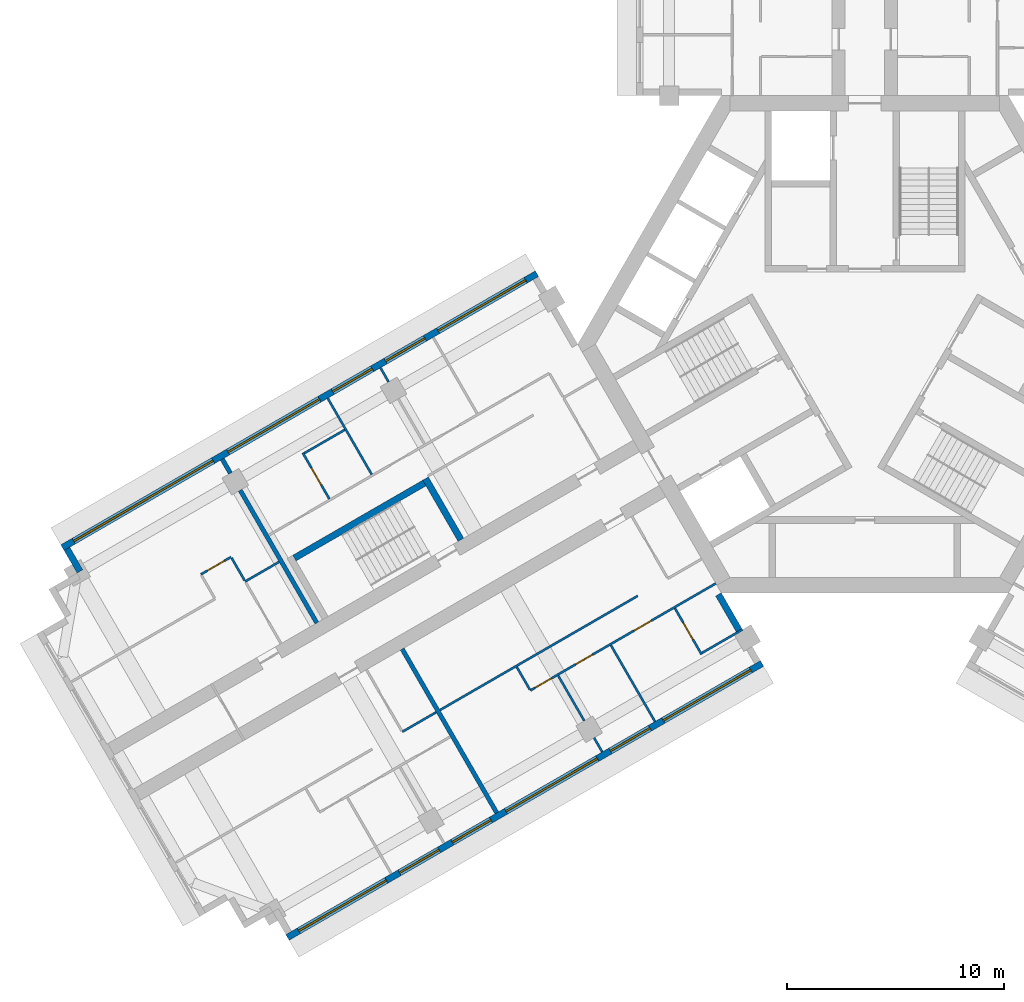
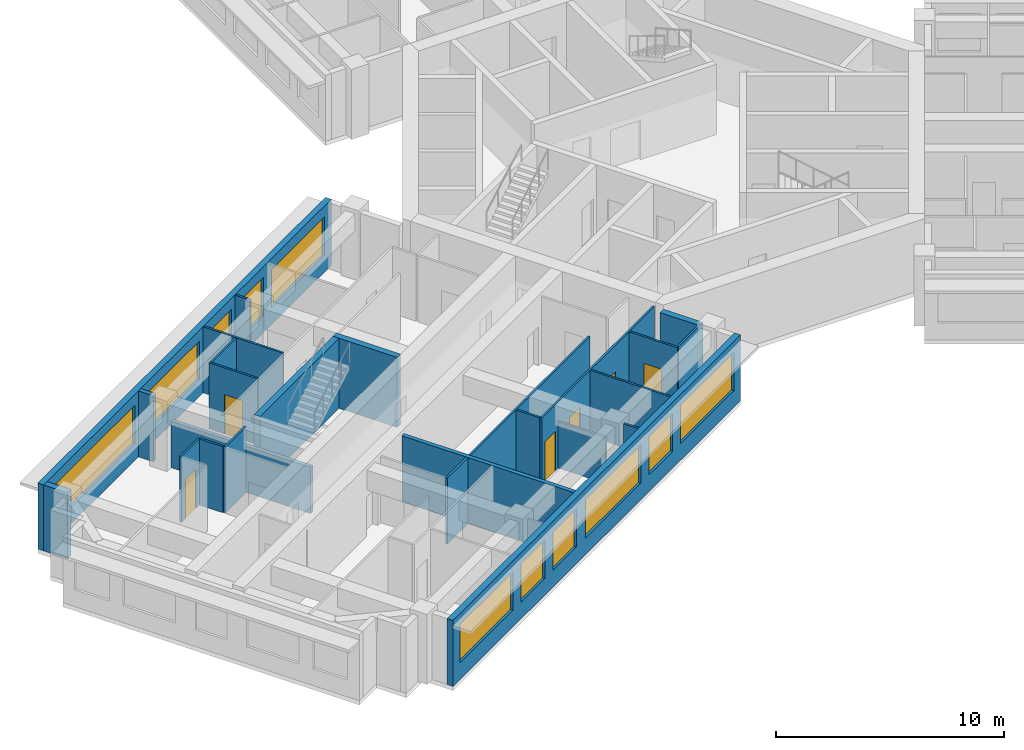
# One storey, part 3 of 11: 25 walls, 11 windows, 6 doors, 17 openings.
"""IFC4 building model written with IfcOpenShell, lengths in metres."""

import ifcopenshell
import ifcopenshell.guid

model = None  # the IFC model being written
_history = None  # IfcOwnerHistory: only IFC2X3 demands one
_inside = {}  # id of a spatial element -> (the spatial element, [elements in it])
_under = {}  # id of a project, library or spatial element -> (it, [spatial elements below it])
_declared = {}  # id of a project -> (the project, [libraries it declares])
_typed = {}  # id of a type object -> (the type object, [elements of that type])
_made_of = {}  # id of a material, layer set ... -> (it, [elements and type objects made of it])


def new_model(schema):
    """Start an empty IFC model of exactly this schema.

    Asked for "IFC4X3", IfcOpenShell would pick the latest addendum, in which some entities
    have other attributes; the version numbers below select the first issue.
    IFC2X3 requires an IfcOwnerHistory on every rooted entity: one is made here for all.
    """
    global model, _history
    if schema == "IFC4X3":
        model = ifcopenshell.file(schema_version=(4, 3, 0, 0))
    else:
        model = ifcopenshell.file(schema=schema)
    _inside.clear()
    _under.clear()
    _declared.clear()
    _typed.clear()
    _made_of.clear()
    _history = None
    if model.schema == "IFC2X3":
        org = make("IfcOrganization", Name="unknown")
        user = make(
            "IfcPersonAndOrganization",
            ThePerson=make("IfcPerson", FamilyName="unknown"),
            TheOrganization=org,
        )
        app = make(
            "IfcApplication",
            ApplicationDeveloper=org,
            Version="unknown",
            ApplicationFullName="unknown",
            ApplicationIdentifier="unknown",
        )
        _history = make(
            "IfcOwnerHistory",
            OwningUser=user,
            OwningApplication=app,
            ChangeAction="ADDED",
            CreationDate=0,
        )
    return model


def make(cls, **values):
    """One entity of the class cls with the attributes given. An attribute that is None is left unset."""
    return model.create_entity(
        cls, **{name: value for name, value in values.items() if value is not None}
    )


def rooted(cls, **values):
    """An entity with a GlobalId (a new one), such as an element, a storey or a relation."""
    return make(cls, GlobalId=ifcopenshell.guid.new(), OwnerHistory=_history, **values)


def si_unit(unit_type, name, prefix=None):
    """IfcSIUnit, for example si_unit("LENGTHUNIT", "METRE", prefix="MILLI")."""
    return make("IfcSIUnit", UnitType=unit_type, Prefix=prefix, Name=name)


def assignment(units):
    """IfcUnitAssignment: the units of a project."""
    return None if units is None else make("IfcUnitAssignment", Units=units)


def point(xyz):
    """IfcCartesianPoint."""
    return None if xyz is None else make("IfcCartesianPoint", Coordinates=xyz)


def direction(xyz):
    """IfcDirection."""
    return None if xyz is None else make("IfcDirection", DirectionRatios=xyz)


def frame(location, z_axis=None, x_axis=None):
    """IfcAxis2Placement3D, a coordinate frame: its origin and axes. An axis left out is left unset."""
    return make(
        "IfcAxis2Placement3D",
        Location=point(location),
        Axis=direction(z_axis),
        RefDirection=direction(x_axis),
    )


def frame_2d(location, x_axis=None):
    """IfcAxis2Placement2D, a coordinate frame in the plane: its origin and x axis."""
    return make(
        "IfcAxis2Placement2D", Location=point(location), RefDirection=direction(x_axis)
    )


def origin():
    """The frame at (0, 0, 0) with its axes left unset."""
    return frame((0.0, 0.0, 0.0))


def place(relative_to, where):
    """IfcLocalPlacement: puts the frame where relative to a parent placement (None: the world)."""
    return make(
        "IfcLocalPlacement", PlacementRelTo=relative_to, RelativePlacement=where
    )


def context(
    kind, dimensions, precision=None, world=None, true_north=None, identifier=None
):
    """IfcGeometricRepresentationContext, for example the 3D "Model" context."""
    return make(
        "IfcGeometricRepresentationContext",
        ContextIdentifier=identifier,
        ContextType=kind,
        CoordinateSpaceDimension=dimensions,
        Precision=precision,
        WorldCoordinateSystem=world,
        TrueNorth=true_north,
    )


def subcontext(parent, identifier, kind, view, scale=None):
    """IfcGeometricRepresentationSubContext, for example "Body" below "Model"."""
    return make(
        "IfcGeometricRepresentationSubContext",
        ContextIdentifier=identifier,
        ContextType=kind,
        ParentContext=parent,
        TargetScale=scale,
        TargetView=view,
    )


def project(units=None, contexts=None):
    """IfcProject with its units and contexts."""
    return rooted(
        "IfcProject",
        Name="project",
        RepresentationContexts=contexts,
        UnitsInContext=assignment(units),
    )


def spatial(cls, under=None, at=None, **own):
    """A site, building, storey or space (cls), placed at a placement, below another one or the project."""
    s = rooted(cls, ObjectPlacement=at, **own)
    if under is not None:
        _under.setdefault(under.id(), (under, []))[1].append(s)
    return s


def profile(cls, at=None, kind="AREA", **sizes):
    """A parametric profile (cls). Its sizes go by their IFC names, for example OverallWidth=200.0."""
    return make(cls, ProfileType=kind, Position=at, **sizes)


def rectangle(**sizes):
    """IfcRectangleProfileDef."""
    return profile("IfcRectangleProfileDef", **sizes)


def extrude(swept, where, along, depth):
    """IfcExtrudedAreaSolid: the profile swept, set in the frame where, extruded along a direction by depth."""
    return make(
        "IfcExtrudedAreaSolid",
        SweptArea=swept,
        Position=where,
        ExtrudedDirection=direction(along),
        Depth=depth,
    )


def shape(context_of_items, identifier, shape_type, items):
    """IfcShapeRepresentation: the items that make up one representation, for example the "Body"."""
    return make(
        "IfcShapeRepresentation",
        ContextOfItems=context_of_items,
        RepresentationIdentifier=identifier,
        RepresentationType=shape_type,
        Items=items,
    )


def material(Name=None, Category=None):
    """IfcMaterial."""
    return make("IfcMaterial", Name=Name, Category=Category)


def layer(
    of_material, thickness, ventilated=None, Name=None, Category=None, Priority=None
):
    """IfcMaterialLayer: one layer of a wall or slab, of a material (None: an air gap)."""
    return make(
        "IfcMaterialLayer",
        Material=of_material,
        LayerThickness=thickness,
        IsVentilated=ventilated,
        Name=Name,
        Category=Category,
        Priority=Priority,
    )


def layer_set(layers, Name=None):
    """IfcMaterialLayerSet."""
    return make("IfcMaterialLayerSet", MaterialLayers=layers, LayerSetName=Name)


def made_of(thing, what):
    """Note that an element or type object is made of a material, layer set ...; save() writes the relation."""
    if what is not None:
        _made_of.setdefault(what.id(), (what, []))[1].append(thing)
    return thing


def type_object(cls, material=None, **own):
    """A type object (cls), such as IfcWallType, which elements share."""
    return made_of(rooted(cls, **own), material)


def element(
    cls,
    number,
    at=None,
    inside=None,
    cuts=None,
    type_object=None,
    material=None,
    context=None,
    identifier="Body",
    shape_type=None,
    held_by="IfcProductDefinitionShape",
    body=None,
    shapes=None,
    **own,
):
    """One element of the class cls, such as IfcWall. Its Tag is "e" and its number.

    at: its placement. inside: the storey or other place that contains it. cuts: it is an
    opening in that element (IfcRelVoidsElement). A single representation is given by context,
    identifier, shape_type and body (its items); several are given by shapes. held_by: the class
    of the entity that holds the representations. save() writes the other relations.
    """
    e = rooted(cls, Tag="e%d" % number, ObjectPlacement=at, **own)
    if body is not None:
        shapes = [shape(context, identifier, shape_type, body)]
    if shapes is not None:
        e.Representation = make(held_by, Representations=shapes)
    if inside is not None:
        _inside.setdefault(inside.id(), (inside, []))[1].append(e)
    if cuts is not None:
        rooted(
            "IfcRelVoidsElement", RelatingBuildingElement=cuts, RelatedOpeningElement=e
        )
    if type_object is not None:
        _typed.setdefault(type_object.id(), (type_object, []))[1].append(e)
    return made_of(e, material)


def fill(opening, filler):
    """IfcRelFillsElement: the door or window that sits in an opening."""
    return rooted(
        "IfcRelFillsElement",
        RelatingOpeningElement=opening,
        RelatedBuildingElement=filler,
    )


def aggregate(whole, parts):
    """IfcRelAggregates: a whole, such as a stair, and the parts it consists of."""
    return rooted("IfcRelAggregates", RelatingObject=whole, RelatedObjects=parts)


def save(model, path):
    """Write the relations noted so far, then the file.

    IfcRelAggregates (storeys below a building ...), IfcRelContainedInSpatialStructure (elements
    in a storey), IfcRelDefinesByType, IfcRelAssociatesMaterial and IfcRelDeclares: one each for
    every whole, place, type object, material and project.
    """
    for whole, parts in _under.values():
        aggregate(whole, parts)
    for where, things in _inside.values():
        rooted(
            "IfcRelContainedInSpatialStructure",
            RelatedElements=things,
            RelatingStructure=where,
        )
    for kind, things in _typed.values():
        rooted("IfcRelDefinesByType", RelatedObjects=things, RelatingType=kind)
    for what, things in _made_of.values():
        rooted("IfcRelAssociatesMaterial", RelatedObjects=things, RelatingMaterial=what)
    for by, libraries in _declared.values():
        rooted("IfcRelDeclares", RelatingContext=by, RelatedDefinitions=libraries)
    model.write(path)


model = new_model("IFC4")

# Units and contexts
model_context = context("Model", 3, precision=1e-05, world=origin(), true_north=direction((0.0, 1.0)))
body_context = subcontext(model_context, "Body", "Model", "MODEL_VIEW")
ifc_project = project(units=[si_unit("LENGTHUNIT", "METRE"), si_unit("AREAUNIT", "SQUARE_METRE"), si_unit("VOLUMEUNIT", "CUBIC_METRE"), si_unit("PLANEANGLEUNIT", "RADIAN"), si_unit("MASSUNIT", "GRAM", prefix="KILO")], contexts=[model_context])

# Site, building, storey
site_placement = place(None, origin())
site = spatial("IfcSite", under=ifc_project, at=site_placement, CompositionType="ELEMENT")
building_placement = place(site_placement, origin())
building = spatial("IfcBuilding", under=site, at=building_placement, Name="Impinga Residences", CompositionType="ELEMENT")
storey_placement = place(building_placement, frame((0.0, 0.0, 203.5)))
storey = spatial("IfcBuildingStorey", under=building, at=storey_placement, Name="L50", CompositionType="ELEMENT", Elevation=203.5)

# Wall
ifc_material_1 = material(Name="Terracotta rainscreen on blockwork", Category="masonry")
ifc_layer_1 = layer(ifc_material_1, 0.300048828125)
ifc_layer_set_1 = layer_set([ifc_layer_1], Name="EW1 external wall, terracotta rainscreen on blockwork 300")
wall_type_1 = type_object("IfcWallType", Name="EW1 external wall, terracotta rainscreen on blockwork 300", PredefinedType="SOLIDWALL", material=ifc_layer_set_1)
wall_1_placement = place(storey_placement, frame((-36.093994140625, -10.446533203125, 0.0), z_axis=(0.0, 0.0, 1.0), x_axis=(-0.499880961361, 0.866094119867, 0.0)))
element("IfcWall", 1, at=wall_1_placement, inside=storey, type_object=wall_type_1, Name="External wall EW1 L50", PredefinedType="SOLIDWALL", context=body_context, shape_type="SweptSolid", body=[
    extrude(rectangle(XDim=1.199951171875, YDim=0.300048828125, at=frame_2d((0.60009765625, 0.0))), origin(), (0.0, 0.0, 1.0), 3.530029296875),
])

# Wall, openings, windows
wall_2_placement = place(storey_placement, frame((-36.89892578125, -9.352294921875, 0.0), z_axis=(0.0, 0.0, 1.0), x_axis=(0.86602925447, 0.499993330357, 0.0)))
wall_2 = element("IfcWall", 2, at=wall_2_placement, inside=storey, type_object=wall_type_1, Name="External wall EW1 L50", PredefinedType="SOLIDWALL", context=body_context, shape_type="SweptSolid", body=[
    extrude(rectangle(XDim=25.199951171875, YDim=0.300048828125, at=frame_2d((12.60009765625, 0.0))), origin(), (0.0, 0.0, 1.0), 3.530029296875),
])
opening_1_placement = place(wall_2_placement, frame((0.60009765625, 0.0, 0.89990234375)))
opening_1 = element("IfcOpeningElement", 3, at=opening_1_placement, cuts=wall_2, Name="Opening W12", PredefinedType="OPENING", context=body_context, shape_type="SweptSolid", body=[
    extrude(rectangle(XDim=7.39990234375, YDim=2.050048828125, at=frame_2d((3.699951171875, 1.02490234375))), frame((0.0, 0.159912109375, 0.0), z_axis=(0.0, -1.0, 0.0), x_axis=(1.0, 0.0, 0.0)), (0.0, 0.0, 1.0), 0.320068359375),
])
opening_2_placement = place(wall_2_placement, frame((8.800048828125, 0.0, 0.89990234375)))
opening_2 = element("IfcOpeningElement", 4, at=opening_2_placement, cuts=wall_2, Name="Opening W6", PredefinedType="OPENING", context=body_context, shape_type="SweptSolid", body=[
    extrude(rectangle(XDim=4.85009765625, YDim=2.050048828125, at=frame_2d((2.425048828125, 1.02490234375))), frame((0.0, 0.159912109375, 0.0), z_axis=(0.0, -1.0, 0.0), x_axis=(1.0, 0.0, 0.0)), (0.0, 0.0, 1.0), 0.320068359375),
])
opening_3_placement = place(wall_2_placement, frame((14.35009765625, 0.0, 0.89990234375)))
opening_3 = element("IfcOpeningElement", 5, at=opening_3_placement, cuts=wall_2, Name="Opening W9", PredefinedType="OPENING", context=body_context, shape_type="SweptSolid", body=[
    extrude(rectangle(XDim=2.10009765625, YDim=2.050048828125, at=frame_2d((1.050048828125, 1.02490234375))), frame((0.0, 0.159912109375, 0.0), z_axis=(0.0, -1.0, 0.0), x_axis=(1.0, 0.0, 0.0)), (0.0, 0.0, 1.0), 0.320068359375),
])
opening_4_placement = place(wall_2_placement, frame((17.14990234375, 0.0, 0.89990234375)))
opening_4 = element("IfcOpeningElement", 6, at=opening_4_placement, cuts=wall_2, Name="Opening W9", PredefinedType="OPENING", context=body_context, shape_type="SweptSolid", body=[
    extrude(rectangle(XDim=2.10009765625, YDim=2.050048828125, at=frame_2d((1.050048828125, 1.02490234375))), frame((0.0, 0.159912109375, 0.0), z_axis=(0.0, -1.0, 0.0), x_axis=(1.0, 0.0, 0.0)), (0.0, 0.0, 1.0), 0.320068359375),
])
opening_5_placement = place(wall_2_placement, frame((19.949951171875, 0.0, 0.89990234375)))
opening_5 = element("IfcOpeningElement", 7, at=opening_5_placement, cuts=wall_2, Name="Opening W10", PredefinedType="OPENING", context=body_context, shape_type="SweptSolid", body=[
    extrude(rectangle(XDim=4.64990234375, YDim=2.050048828125, at=frame_2d((2.324951171875, 1.02490234375))), frame((0.0, 0.159912109375, 0.0), z_axis=(0.0, -1.0, 0.0), x_axis=(1.0, 0.0, 0.0)), (0.0, 0.0, 1.0), 0.320068359375),
])
ifc_material_2 = material(Name="Aluminium window, clear double glazing", Category="aluminium")
window_type_1 = type_object("IfcWindowType", Name="W10 ribbon window 4650x2050", PartitioningType="SINGLE_PANEL", PredefinedType="WINDOW", material=ifc_material_2)
window_1_placement = place(opening_5_placement, origin())
window_1 = element("IfcWindow", 8, at=window_1_placement, inside=storey, type_object=window_type_1, Name="Window L50", OverallHeight=2.050048828125, OverallWidth=4.64990234375, PartitioningType="SINGLE_PANEL", PredefinedType="WINDOW", context=body_context, shape_type="SweptSolid", body=[
    extrude(rectangle(XDim=4.64990234375, YDim=2.050048828125, at=frame_2d((2.324951171875, 1.02490234375))), frame((0.0, 0.030029296875, 0.0), z_axis=(0.0, -1.0, 0.0), x_axis=(1.0, 0.0, 0.0)), (0.0, 0.0, 1.0), 0.06005859375),
])
fill(opening_5, window_1)
window_type_2 = type_object("IfcWindowType", Name="W12 ribbon window 7400x2050", PartitioningType="SINGLE_PANEL", PredefinedType="WINDOW", material=ifc_material_2)
window_2_placement = place(opening_1_placement, origin())
window_2 = element("IfcWindow", 9, at=window_2_placement, inside=storey, type_object=window_type_2, Name="Window L50", OverallHeight=2.050048828125, OverallWidth=7.39990234375, PartitioningType="SINGLE_PANEL", PredefinedType="WINDOW", context=body_context, shape_type="SweptSolid", body=[
    extrude(rectangle(XDim=7.39990234375, YDim=2.050048828125, at=frame_2d((3.699951171875, 1.02490234375))), frame((0.0, 0.030029296875, 0.0), z_axis=(0.0, -1.0, 0.0), x_axis=(1.0, 0.0, 0.0)), (0.0, 0.0, 1.0), 0.06005859375),
])
fill(opening_1, window_2)
window_type_3 = type_object("IfcWindowType", Name="W6 ribbon window 4850x2050", PartitioningType="SINGLE_PANEL", PredefinedType="WINDOW", material=ifc_material_2)
window_3_placement = place(opening_2_placement, origin())
window_3 = element("IfcWindow", 10, at=window_3_placement, inside=storey, type_object=window_type_3, Name="Window L50", OverallHeight=2.050048828125, OverallWidth=4.85009765625, PartitioningType="SINGLE_PANEL", PredefinedType="WINDOW", context=body_context, shape_type="SweptSolid", body=[
    extrude(rectangle(XDim=4.85009765625, YDim=2.050048828125, at=frame_2d((2.425048828125, 1.02490234375))), frame((0.0, 0.030029296875, 0.0), z_axis=(0.0, -1.0, 0.0), x_axis=(1.0, 0.0, 0.0)), (0.0, 0.0, 1.0), 0.06005859375),
])
fill(opening_2, window_3)
window_type_4 = type_object("IfcWindowType", Name="W9 ribbon window 2100x2050", PartitioningType="SINGLE_PANEL", PredefinedType="WINDOW", material=ifc_material_2)
window_4_placement = place(opening_3_placement, origin())
window_4 = element("IfcWindow", 11, at=window_4_placement, inside=storey, type_object=window_type_4, Name="Window L50", OverallHeight=2.050048828125, OverallWidth=2.10009765625, PartitioningType="SINGLE_PANEL", PredefinedType="WINDOW", context=body_context, shape_type="SweptSolid", body=[
    extrude(rectangle(XDim=2.10009765625, YDim=2.050048828125, at=frame_2d((1.050048828125, 1.02490234375))), frame((0.0, 0.030029296875, 0.0), z_axis=(0.0, -1.0, 0.0), x_axis=(1.0, 0.0, 0.0)), (0.0, 0.0, 1.0), 0.06005859375),
])
fill(opening_3, window_4)
window_5_placement = place(opening_4_placement, origin())
window_5 = element("IfcWindow", 12, at=window_5_placement, inside=storey, type_object=window_type_4, Name="Window L50", OverallHeight=2.050048828125, OverallWidth=2.10009765625, PartitioningType="SINGLE_PANEL", PredefinedType="WINDOW", context=body_context, shape_type="SweptSolid", body=[
    extrude(rectangle(XDim=2.10009765625, YDim=2.050048828125, at=frame_2d((1.050048828125, 1.02490234375))), frame((0.0, 0.030029296875, 0.0), z_axis=(0.0, -1.0, 0.0), x_axis=(1.0, 0.0, 0.0)), (0.0, 0.0, 1.0), 0.06005859375),
])
fill(opening_4, window_5)

# Wall
wall_3_placement = place(storey_placement, frame((-6.72998046875, -11.506591796875, 0.0), z_axis=(0.0, 0.0, 1.0), x_axis=(0.500043961785, -0.866000020948, 0.0)))
element("IfcWall", 13, at=wall_3_placement, inside=storey, type_object=wall_type_1, Name="External wall EW1 L50", PredefinedType="SOLIDWALL", context=body_context, shape_type="SweptSolid", body=[
    extrude(rectangle(XDim=1.949951171875, YDim=0.300048828125, at=frame_2d((0.97509765625, 0.0))), origin(), (0.0, 0.0, 1.0), 3.530029296875),
])

# Wall, openings, windows
wall_4_placement = place(storey_placement, frame((-4.72509765625, -14.67919921875, 0.0), z_axis=(0.0, 0.0, 1.0), x_axis=(-0.866026832479, -0.499997525421, 0.0)))
wall_4 = element("IfcWall", 14, at=wall_4_placement, inside=storey, type_object=wall_type_1, Name="External wall EW1 L50", PredefinedType="SOLIDWALL", context=body_context, shape_type="SweptSolid", body=[
    extrude(rectangle(XDim=25.199951171875, YDim=0.300048828125, at=frame_2d((12.60009765625, 0.0))), origin(), (0.0, 0.0, 1.0), 3.530029296875),
])
opening_6_placement = place(wall_4_placement, frame((0.60009765625, 0.0, 0.89990234375)))
opening_6 = element("IfcOpeningElement", 15, at=opening_6_placement, cuts=wall_4, Name="Opening W10", PredefinedType="OPENING", context=body_context, shape_type="SweptSolid", body=[
    extrude(rectangle(XDim=4.64990234375, YDim=2.050048828125, at=frame_2d((2.324951171875, 1.02490234375))), frame((0.0, 0.159912109375, 0.0), z_axis=(0.0, -1.0, 0.0), x_axis=(1.0, 0.0, 0.0)), (0.0, 0.0, 1.0), 0.320068359375),
])
opening_7_placement = place(wall_4_placement, frame((5.949951171875, 0.0, 0.89990234375)))
opening_7 = element("IfcOpeningElement", 16, at=opening_7_placement, cuts=wall_4, Name="Opening W9", PredefinedType="OPENING", context=body_context, shape_type="SweptSolid", body=[
    extrude(rectangle(XDim=2.10009765625, YDim=2.050048828125, at=frame_2d((1.050048828125, 1.02490234375))), frame((0.0, 0.159912109375, 0.0), z_axis=(0.0, -1.0, 0.0), x_axis=(1.0, 0.0, 0.0)), (0.0, 0.0, 1.0), 0.320068359375),
])
opening_8_placement = place(wall_4_placement, frame((8.75, 0.0, 0.89990234375)))
opening_8 = element("IfcOpeningElement", 17, at=opening_8_placement, cuts=wall_4, Name="Opening W6", PredefinedType="OPENING", context=body_context, shape_type="SweptSolid", body=[
    extrude(rectangle(XDim=4.85009765625, YDim=2.050048828125, at=frame_2d((2.425048828125, 1.02490234375))), frame((0.0, 0.159912109375, 0.0), z_axis=(0.0, -1.0, 0.0), x_axis=(1.0, 0.0, 0.0)), (0.0, 0.0, 1.0), 0.320068359375),
])
opening_9_placement = place(wall_4_placement, frame((14.39990234375, 0.0, 0.89990234375)))
opening_9 = element("IfcOpeningElement", 18, at=opening_9_placement, cuts=wall_4, Name="Opening W14", PredefinedType="OPENING", context=body_context, shape_type="SweptSolid", body=[
    extrude(rectangle(XDim=2.050048828125, YDim=2.050048828125, at=frame_2d((1.02490234375, 1.02490234375))), frame((0.0, 0.159912109375, 0.0), z_axis=(0.0, -1.0, 0.0), x_axis=(1.0, 0.0, 0.0)), (0.0, 0.0, 1.0), 0.320068359375),
])
opening_10_placement = place(wall_4_placement, frame((17.14990234375, 0.0, 0.89990234375)))
opening_10 = element("IfcOpeningElement", 19, at=opening_10_placement, cuts=wall_4, Name="Opening W9", PredefinedType="OPENING", context=body_context, shape_type="SweptSolid", body=[
    extrude(rectangle(XDim=2.10009765625, YDim=2.050048828125, at=frame_2d((1.050048828125, 1.02490234375))), frame((0.0, 0.159912109375, 0.0), z_axis=(0.0, -1.0, 0.0), x_axis=(1.0, 0.0, 0.0)), (0.0, 0.0, 1.0), 0.320068359375),
])
opening_11_placement = place(wall_4_placement, frame((19.949951171875, 0.0, 0.89990234375)))
opening_11 = element("IfcOpeningElement", 20, at=opening_11_placement, cuts=wall_4, Name="Opening W10", PredefinedType="OPENING", context=body_context, shape_type="SweptSolid", body=[
    extrude(rectangle(XDim=4.64990234375, YDim=2.050048828125, at=frame_2d((2.324951171875, 1.02490234375))), frame((0.0, 0.159912109375, 0.0), z_axis=(0.0, -1.0, 0.0), x_axis=(1.0, 0.0, 0.0)), (0.0, 0.0, 1.0), 0.320068359375),
])
window_6_placement = place(opening_6_placement, origin())
window_6 = element("IfcWindow", 21, at=window_6_placement, inside=storey, type_object=window_type_1, Name="Window L50", OverallHeight=2.050048828125, OverallWidth=4.64990234375, PartitioningType="SINGLE_PANEL", PredefinedType="WINDOW", context=body_context, shape_type="SweptSolid", body=[
    extrude(rectangle(XDim=4.64990234375, YDim=2.050048828125, at=frame_2d((2.324951171875, 1.02490234375))), frame((0.0, 0.030029296875, 0.0), z_axis=(0.0, -1.0, 0.0), x_axis=(1.0, 0.0, 0.0)), (0.0, 0.0, 1.0), 0.06005859375),
])
fill(opening_6, window_6)
window_7_placement = place(opening_11_placement, origin())
window_7 = element("IfcWindow", 22, at=window_7_placement, inside=storey, type_object=window_type_1, Name="Window L50", OverallHeight=2.050048828125, OverallWidth=4.64990234375, PartitioningType="SINGLE_PANEL", PredefinedType="WINDOW", context=body_context, shape_type="SweptSolid", body=[
    extrude(rectangle(XDim=4.64990234375, YDim=2.050048828125, at=frame_2d((2.324951171875, 1.02490234375))), frame((0.0, 0.030029296875, 0.0), z_axis=(0.0, -1.0, 0.0), x_axis=(1.0, 0.0, 0.0)), (0.0, 0.0, 1.0), 0.06005859375),
])
fill(opening_11, window_7)
window_type_5 = type_object("IfcWindowType", Name="W14 ribbon window 2050x2050", PartitioningType="SINGLE_PANEL", PredefinedType="WINDOW", material=ifc_material_2)
window_8_placement = place(opening_9_placement, origin())
window_8 = element("IfcWindow", 23, at=window_8_placement, inside=storey, type_object=window_type_5, Name="Window L50", OverallHeight=2.050048828125, OverallWidth=2.050048828125, PartitioningType="SINGLE_PANEL", PredefinedType="WINDOW", context=body_context, shape_type="SweptSolid", body=[
    extrude(rectangle(XDim=2.050048828125, YDim=2.050048828125, at=frame_2d((1.02490234375, 1.02490234375))), frame((0.0, 0.030029296875, 0.0), z_axis=(0.0, -1.0, 0.0), x_axis=(1.0, 0.0, 0.0)), (0.0, 0.0, 1.0), 0.06005859375),
])
fill(opening_9, window_8)
window_9_placement = place(opening_8_placement, origin())
window_9 = element("IfcWindow", 24, at=window_9_placement, inside=storey, type_object=window_type_3, Name="Window L50", OverallHeight=2.050048828125, OverallWidth=4.85009765625, PartitioningType="SINGLE_PANEL", PredefinedType="WINDOW", context=body_context, shape_type="SweptSolid", body=[
    extrude(rectangle(XDim=4.85009765625, YDim=2.050048828125, at=frame_2d((2.425048828125, 1.02490234375))), frame((0.0, 0.030029296875, 0.0), z_axis=(0.0, -1.0, 0.0), x_axis=(1.0, 0.0, 0.0)), (0.0, 0.0, 1.0), 0.06005859375),
])
fill(opening_8, window_9)
window_10_placement = place(opening_7_placement, origin())
window_10 = element("IfcWindow", 25, at=window_10_placement, inside=storey, type_object=window_type_4, Name="Window L50", OverallHeight=2.050048828125, OverallWidth=2.10009765625, PartitioningType="SINGLE_PANEL", PredefinedType="WINDOW", context=body_context, shape_type="SweptSolid", body=[
    extrude(rectangle(XDim=2.10009765625, YDim=2.050048828125, at=frame_2d((1.050048828125, 1.02490234375))), frame((0.0, 0.030029296875, 0.0), z_axis=(0.0, -1.0, 0.0), x_axis=(1.0, 0.0, 0.0)), (0.0, 0.0, 1.0), 0.06005859375),
])
fill(opening_7, window_10)
window_11_placement = place(opening_10_placement, origin())
window_11 = element("IfcWindow", 26, at=window_11_placement, inside=storey, type_object=window_type_4, Name="Window L50", OverallHeight=2.050048828125, OverallWidth=2.10009765625, PartitioningType="SINGLE_PANEL", PredefinedType="WINDOW", context=body_context, shape_type="SweptSolid", body=[
    extrude(rectangle(XDim=2.10009765625, YDim=2.050048828125, at=frame_2d((1.050048828125, 1.02490234375))), frame((0.0, 0.030029296875, 0.0), z_axis=(0.0, -1.0, 0.0), x_axis=(1.0, 0.0, 0.0)), (0.0, 0.0, 1.0), 0.06005859375),
])
fill(opening_10, window_11)

# Wall
ifc_material_3 = material(Name="Gypsum board on steel studs", Category="steel")
ifc_layer_2 = layer(ifc_material_3, 0.10009765625)
ifc_layer_set_2 = layer_set([ifc_layer_2], Name="Gypsum board on steel studs")
wall_type_2 = type_object("IfcWallType", Name="IP1 partition 100", PredefinedType="PARTITIONING", material=ifc_layer_set_2)
wall_5_placement = place(storey_placement, frame((-10.444580078125, -11.57275390625, 0.0), z_axis=(0.0, 0.0, 1.0), x_axis=(-0.866025284237, -0.500000207062, 0.0)))
element("IfcWall", 27, at=wall_5_placement, inside=storey, type_object=wall_type_2, Name="Partition L50-WA1:DIV1", PredefinedType="PARTITIONING", context=body_context, shape_type="SweptSolid", body=[
    extrude(rectangle(XDim=10.5, YDim=0.10009765625, at=frame_2d((5.25, 0.0))), origin(), (0.0, 0.0, 1.0), 3.530029296875),
])

# Wall, openings, doors
wall_6_placement = place(storey_placement, frame((-6.85009765625, -10.99853515625, 0.0), z_axis=(0.0, 0.0, 1.0), x_axis=(-0.866021308241, -0.500007093622, 0.0)))
wall_6 = element("IfcWall", 28, at=wall_6_placement, inside=storey, type_object=wall_type_2, Name="Partition L50-WA1:STRIP", PredefinedType="PARTITIONING", context=body_context, shape_type="SweptSolid", body=[
    extrude(rectangle(XDim=9.849853515625, YDim=0.10009765625, at=frame_2d((4.9248046875, 0.0))), origin(), (0.0, 0.0, 1.0), 3.530029296875),
])
opening_12_placement = place(wall_6_placement, frame((3.449951171875, 0.0, 0.0)))
opening_12 = element("IfcOpeningElement", 29, at=opening_12_placement, cuts=wall_6, Name="Opening D2", PredefinedType="OPENING", context=body_context, shape_type="SweptSolid", body=[
    extrude(rectangle(XDim=0.89990234375, YDim=2.10009765625, at=frame_2d((0.449951171875, 1.050048828125))), frame((0.0, 0.06005859375, 0.0), z_axis=(0.0, -1.0, 0.0), x_axis=(1.0, 0.0, 0.0)), (0.0, 0.0, 1.0), 0.1201171875),
])
opening_13_placement = place(wall_6_placement, frame((6.550048828125, 0.0, 0.0)))
opening_13 = element("IfcOpeningElement", 30, at=opening_13_placement, cuts=wall_6, Name="Opening D2", PredefinedType="OPENING", context=body_context, shape_type="SweptSolid", body=[
    extrude(rectangle(XDim=0.89990234375, YDim=2.10009765625, at=frame_2d((0.449951171875, 1.050048828125))), frame((0.0, 0.06005859375, 0.0), z_axis=(0.0, -1.0, 0.0), x_axis=(1.0, 0.0, 0.0)), (0.0, 0.0, 1.0), 0.1201171875),
])
opening_14_placement = place(wall_6_placement, frame((8.699951171875, 0.0, 0.0)))
opening_14 = element("IfcOpeningElement", 31, at=opening_14_placement, cuts=wall_6, Name="Opening D2", PredefinedType="OPENING", context=body_context, shape_type="SweptSolid", body=[
    extrude(rectangle(XDim=0.89990234375, YDim=2.10009765625, at=frame_2d((0.449951171875, 1.050048828125))), frame((0.0, 0.06005859375, 0.0), z_axis=(0.0, -1.0, 0.0), x_axis=(1.0, 0.0, 0.0)), (0.0, 0.0, 1.0), 0.1201171875),
])
ifc_material_4 = material(Name="Timber door set", Category="wood")
door_type = type_object("IfcDoorType", Name="D2 internal door 900x2100", OperationType="SINGLE_SWING_LEFT", PredefinedType="DOOR", material=ifc_material_4)
door_1_placement = place(opening_12_placement, origin())
door_1 = element("IfcDoor", 32, at=door_1_placement, inside=storey, type_object=door_type, Name="Apartment L50-WA1 room door", OperationType="SINGLE_SWING_LEFT", OverallHeight=2.10009765625, OverallWidth=0.89990234375, PredefinedType="DOOR", context=body_context, shape_type="SweptSolid", body=[
    extrude(rectangle(XDim=0.89990234375, YDim=2.10009765625, at=frame_2d((0.449951171875, 1.050048828125))), frame((0.0, 0.02490234375, 0.0), z_axis=(0.0, -1.0, 0.0), x_axis=(1.0, 0.0, 0.0)), (0.0, 0.0, 1.0), 0.050048828125),
])
fill(opening_12, door_1)
door_2_placement = place(opening_13_placement, origin())
door_2 = element("IfcDoor", 33, at=door_2_placement, inside=storey, type_object=door_type, Name="Apartment L50-WA1 room door", OperationType="SINGLE_SWING_RIGHT", OverallHeight=2.10009765625, OverallWidth=0.89990234375, PredefinedType="DOOR", context=body_context, shape_type="SweptSolid", body=[
    extrude(rectangle(XDim=0.89990234375, YDim=2.10009765625, at=frame_2d((0.449951171875, 1.050048828125))), frame((0.0, 0.02490234375, 0.0), z_axis=(0.0, -1.0, 0.0), x_axis=(1.0, 0.0, 0.0)), (0.0, 0.0, 1.0), 0.050048828125),
])
fill(opening_13, door_2)
door_3_placement = place(opening_14_placement, origin())
door_3 = element("IfcDoor", 34, at=door_3_placement, inside=storey, type_object=door_type, Name="Apartment L50-WA1 room door", OperationType="SINGLE_SWING_RIGHT", OverallHeight=2.10009765625, OverallWidth=0.89990234375, PredefinedType="DOOR", context=body_context, shape_type="SweptSolid", body=[
    extrude(rectangle(XDim=0.89990234375, YDim=2.10009765625, at=frame_2d((0.449951171875, 1.050048828125))), frame((0.0, 0.02490234375, 0.0), z_axis=(0.0, -1.0, 0.0), x_axis=(1.0, 0.0, 0.0)), (0.0, 0.0, 1.0), 0.050048828125),
])
fill(opening_14, door_3)

# Walls
wall_7_placement = place(storey_placement, frame((-16.00537109375, -14.841064453125, 0.0), z_axis=(0.0, 0.0, 1.0), x_axis=(0.50012165622, -0.865955154139, 0.0)))
element("IfcWall", 35, at=wall_7_placement, inside=storey, type_object=wall_type_2, Name="Partition L50-WA1:SE1", PredefinedType="PARTITIONING", context=body_context, shape_type="SweptSolid", body=[
    extrude(rectangle(XDim=1.199951171875, YDim=0.10009765625, at=frame_2d((0.60009765625, 0.0))), origin(), (0.0, 0.0, 1.0), 3.530029296875),
])
wall_8_placement = place(storey_placement, frame((-11.6748046875, -13.841796875, 0.0), z_axis=(0.0, 0.0, 1.0), x_axis=(0.500035537042, -0.866004885491, 0.0)))
element("IfcWall", 36, at=wall_8_placement, inside=storey, type_object=wall_type_2, Name="Partition L50-WA1:OB1", PredefinedType="PARTITIONING", context=body_context, shape_type="SweptSolid", body=[
    extrude(rectangle(XDim=4.050048828125, YDim=0.10009765625, at=frame_2d((2.02490234375, 0.0))), origin(), (0.0, 0.0, 1.0), 3.530029296875),
])
wall_9_placement = place(storey_placement, frame((-14.099609375, -15.241943359375, 0.0), z_axis=(0.0, 0.0, 1.0), x_axis=(0.500001309137, -0.866024647952, 0.0)))
element("IfcWall", 37, at=wall_9_placement, inside=storey, type_object=wall_type_2, Name="Partition L50-WA1:OB2", PredefinedType="PARTITIONING", context=body_context, shape_type="SweptSolid", body=[
    extrude(rectangle(XDim=2.39990234375, YDim=0.10009765625, at=frame_2d((1.199951171875, 0.0))), origin(), (0.0, 0.0, 1.0), 2.47998046875),
])
wall_10_placement = place(storey_placement, frame((-12.44970703125, -18.099609375, 0.0), z_axis=(0.0, 0.0, 1.0), x_axis=(0.499919672301, -0.866071776036, 0.0)))
element("IfcWall", 38, at=wall_10_placement, inside=storey, type_object=wall_type_2, Name="Partition L50-WA1:OB2b", PredefinedType="PARTITIONING", context=body_context, shape_type="SweptSolid", body=[
    extrude(rectangle(XDim=0.75, YDim=0.10009765625, at=frame_2d((0.375, 0.0))), origin(), (0.0, 0.0, 1.0), 3.530029296875),
])

# Wall, opening, door
wall_11_placement = place(storey_placement, frame((-8.730224609375, -12.141845703125, 0.0), z_axis=(0.0, 0.0, 1.0), x_axis=(0.499943856944, -0.866057815567, 0.0)))
wall_11 = element("IfcWall", 39, at=wall_11_placement, inside=storey, type_object=wall_type_2, Name="Partition L50-WA1:EN1", PredefinedType="PARTITIONING", context=body_context, shape_type="SweptSolid", body=[
    extrude(rectangle(XDim=2.449951171875, YDim=0.10009765625, at=frame_2d((1.22509765625, 0.0))), origin(), (0.0, 0.0, 1.0), 3.530029296875),
])
opening_15_placement = place(wall_11_placement, frame((0.75, 0.0, 0.0)))
opening_15 = element("IfcOpeningElement", 40, at=opening_15_placement, cuts=wall_11, Name="Opening D2", PredefinedType="OPENING", context=body_context, shape_type="SweptSolid", body=[
    extrude(rectangle(XDim=0.89990234375, YDim=2.10009765625, at=frame_2d((0.449951171875, 1.050048828125))), frame((0.0, 0.06005859375, 0.0), z_axis=(0.0, -1.0, 0.0), x_axis=(1.0, 0.0, 0.0)), (0.0, 0.0, 1.0), 0.1201171875),
])
door_4_placement = place(opening_15_placement, origin())
door_4 = element("IfcDoor", 41, at=door_4_placement, inside=storey, type_object=door_type, Name="Apartment L50-WA1 en-suite door", OperationType="SINGLE_SWING_LEFT", OverallHeight=2.10009765625, OverallWidth=0.89990234375, PredefinedType="DOOR", context=body_context, shape_type="SweptSolid", body=[
    extrude(rectangle(XDim=0.89990234375, YDim=2.10009765625, at=frame_2d((0.449951171875, 1.050048828125))), frame((0.0, 0.02490234375, 0.0), z_axis=(0.0, -1.0, 0.0), x_axis=(1.0, 0.0, 0.0)), (0.0, 0.0, 1.0), 0.050048828125),
])
fill(opening_15, door_4)

# Walls
wall_12_placement = place(storey_placement, frame((-5.625, -13.120361328125, 0.0), z_axis=(0.0, 0.0, 1.0), x_axis=(-0.866047553582, -0.499961633463, 0.0)))
element("IfcWall", 42, at=wall_12_placement, inside=storey, type_object=wall_type_2, Name="Partition L50-WA1:EN2", PredefinedType="PARTITIONING", context=body_context, shape_type="SweptSolid", body=[
    extrude(rectangle(XDim=2.150146484375, YDim=0.10009765625, at=frame_2d((1.0751953125, 0.0))), origin(), (0.0, 0.0, 1.0), 3.530029296875),
])
wall_13_placement = place(storey_placement, frame((-19.7109375, -16.922607421875, 0.0), z_axis=(0.0, 0.0, 1.0), x_axis=(-0.865989075817, -0.500062916607, 0.0)))
element("IfcWall", 43, at=wall_13_placement, inside=storey, type_object=wall_type_2, Name="Partition L50-WA2:DIV0", PredefinedType="PARTITIONING", context=body_context, shape_type="SweptSolid", body=[
    extrude(rectangle(XDim=1.800048828125, YDim=0.10009765625, at=frame_2d((0.89990234375, 0.0))), origin(), (0.0, 0.0, 1.0), 3.530029296875),
])
wall_14_placement = place(storey_placement, frame((-21.899658203125, -1.73193359375, 0.0), z_axis=(0.0, 0.0, 1.0), x_axis=(-0.499919672301, 0.866071776036, 0.0)))
element("IfcWall", 44, at=wall_14_placement, inside=storey, type_object=wall_type_2, Name="Partition L50-WF1:OB2b", PredefinedType="PARTITIONING", context=body_context, shape_type="SweptSolid", body=[
    extrude(rectangle(XDim=0.75, YDim=0.10009765625, at=frame_2d((0.375, 0.0))), origin(), (0.0, 0.0, 1.0), 3.530029296875),
])
wall_15_placement = place(storey_placement, frame((-22.674560546875, -5.98974609375, 0.0), z_axis=(0.0, 0.0, 1.0), x_axis=(-0.499990325971, 0.866030989016, 0.0)))
element("IfcWall", 45, at=wall_15_placement, inside=storey, type_object=wall_type_2, Name="Partition L50-WF1:OB3", PredefinedType="PARTITIONING", context=body_context, shape_type="SweptSolid", body=[
    extrude(rectangle(XDim=4.0498046875, YDim=0.10009765625, at=frame_2d((2.02490234375, 0.0))), origin(), (0.0, 0.0, 1.0), 3.530029296875),
])

# Wall, opening, door
wall_16_placement = place(storey_placement, frame((-24.623046875, -7.11474609375, 0.0), z_axis=(0.0, 0.0, 1.0), x_axis=(-0.500018594424, 0.866014668023, 0.0)))
wall_16 = element("IfcWall", 46, at=wall_16_placement, inside=storey, type_object=wall_type_2, Name="Partition L50-WF1:EN1", PredefinedType="PARTITIONING", context=body_context, shape_type="SweptSolid", body=[
    extrude(rectangle(XDim=2.4501953125, YDim=0.10009765625, at=frame_2d((1.22509765625, 0.0))), origin(), (0.0, 0.0, 1.0), 3.530029296875),
])
opening_16_placement = place(wall_16_placement, frame((0.75, 0.0, 0.0)))
opening_16 = element("IfcOpeningElement", 47, at=opening_16_placement, cuts=wall_16, Name="Opening D2", PredefinedType="OPENING", context=body_context, shape_type="SweptSolid", body=[
    extrude(rectangle(XDim=0.89990234375, YDim=2.10009765625, at=frame_2d((0.449951171875, 1.050048828125))), frame((0.0, 0.06005859375, 0.0), z_axis=(0.0, -1.0, 0.0), x_axis=(1.0, 0.0, 0.0)), (0.0, 0.0, 1.0), 0.1201171875),
])
door_5_placement = place(opening_16_placement, origin())
door_5 = element("IfcDoor", 48, at=door_5_placement, inside=storey, type_object=door_type, Name="Apartment L50-WF1 en-suite door", OperationType="SINGLE_SWING_LEFT", OverallHeight=2.10009765625, OverallWidth=0.89990234375, PredefinedType="DOOR", context=body_context, shape_type="SweptSolid", body=[
    extrude(rectangle(XDim=0.89990234375, YDim=2.10009765625, at=frame_2d((0.449951171875, 1.050048828125))), frame((0.0, 0.02490234375, 0.0), z_axis=(0.0, -1.0, 0.0), x_axis=(1.0, 0.0, 0.0)), (0.0, 0.0, 1.0), 0.050048828125),
])
fill(opening_16, door_5)

# Walls
wall_17_placement = place(storey_placement, frame((-23.917724609375, -3.936279296875, 0.0), z_axis=(0.0, 0.0, 1.0), x_axis=(-0.866047553582, -0.499961633463, 0.0)))
element("IfcWall", 49, at=wall_17_placement, inside=storey, type_object=wall_type_2, Name="Partition L50-WF1:EN2", PredefinedType="PARTITIONING", context=body_context, shape_type="SweptSolid", body=[
    extrude(rectangle(XDim=2.150146484375, YDim=0.10009765625, at=frame_2d((1.0751953125, 0.0))), origin(), (0.0, 0.0, 1.0), 3.530029296875),
])
wall_18_placement = place(storey_placement, frame((-26.935791015625, -10.0087890625, 0.0), z_axis=(0.0, 0.0, 1.0), x_axis=(-0.865989075817, -0.500062916607, 0.0)))
element("IfcWall", 50, at=wall_18_placement, inside=storey, type_object=wall_type_2, Name="Partition L50-WF2:DIV0", PredefinedType="PARTITIONING", context=body_context, shape_type="SweptSolid", body=[
    extrude(rectangle(XDim=1.800048828125, YDim=0.10009765625, at=frame_2d((0.89990234375, 0.0))), origin(), (0.0, 0.0, 1.0), 3.530029296875),
])

# Wall, opening, door
wall_19_placement = place(storey_placement, frame((-29.144775390625, -9.782958984375, 0.0), z_axis=(0.0, 0.0, 1.0), x_axis=(-0.865989903783, -0.500061482766, 0.0)))
wall_19 = element("IfcWall", 51, at=wall_19_placement, inside=storey, type_object=wall_type_2, Name="Partition L50-WF2:STRIP", PredefinedType="PARTITIONING", context=body_context, shape_type="SweptSolid", body=[
    extrude(rectangle(XDim=1.599853515625, YDim=0.10009765625, at=frame_2d((0.7998046875, 0.0))), origin(), (0.0, 0.0, 1.0), 3.530029296875),
])
opening_17_placement = place(wall_19_placement, frame((0.35009765625, 0.0, 0.0)))
opening_17 = element("IfcOpeningElement", 52, at=opening_17_placement, cuts=wall_19, Name="Opening D2", PredefinedType="OPENING", context=body_context, shape_type="SweptSolid", body=[
    extrude(rectangle(XDim=0.89990234375, YDim=2.10009765625, at=frame_2d((0.449951171875, 1.050048828125))), frame((0.0, 0.06005859375, 0.0), z_axis=(0.0, -1.0, 0.0), x_axis=(1.0, 0.0, 0.0)), (0.0, 0.0, 1.0), 0.1201171875),
])
door_6_placement = place(opening_17_placement, origin())
door_6 = element("IfcDoor", 53, at=door_6_placement, inside=storey, type_object=door_type, Name="Apartment L50-WF2 room door", OperationType="SINGLE_SWING_LEFT", OverallHeight=2.10009765625, OverallWidth=0.89990234375, PredefinedType="DOOR", context=body_context, shape_type="SweptSolid", body=[
    extrude(rectangle(XDim=0.89990234375, YDim=2.10009765625, at=frame_2d((0.449951171875, 1.050048828125))), frame((0.0, 0.02490234375, 0.0), z_axis=(0.0, -1.0, 0.0), x_axis=(1.0, 0.0, 0.0)), (0.0, 0.0, 1.0), 0.050048828125),
])
fill(opening_17, door_6)

# Walls
wall_20_placement = place(storey_placement, frame((-28.519775390625, -10.865478515625, 0.0), z_axis=(0.0, 0.0, 1.0), x_axis=(-0.499969057507, 0.866043267704, 0.0)))
element("IfcWall", 54, at=wall_20_placement, inside=storey, type_object=wall_type_2, Name="Partition L50-WF2:SE0", PredefinedType="PARTITIONING", context=body_context, shape_type="SweptSolid", body=[
    extrude(rectangle(XDim=1.19970703125, YDim=0.10009765625, at=frame_2d((0.599853515625, 0.0))), origin(), (0.0, 0.0, 1.0), 3.530029296875),
])
ifc_material_5 = material(Name="Concrete blockwork", Category="masonry")
ifc_layer_3 = layer(ifc_material_5, 0.199951171875)
ifc_layer_set_3 = layer_set([ifc_layer_3], Name="PW1 party wall between apartments 200")
wall_type_3 = type_object("IfcWallType", Name="PW1 party wall between apartments 200", PredefinedType="SOLIDWALL", material=ifc_layer_set_3)
wall_21_placement = place(storey_placement, frame((-21.2744140625, -14.014892578125, 0.0), z_axis=(0.0, 0.0, 1.0), x_axis=(0.500008278454, -0.866020624164, 0.0)))
element("IfcWall", 55, at=wall_21_placement, inside=storey, type_object=wall_type_3, Name="Party wall between apartments L50-WA1:PARTY", PredefinedType="SOLIDWALL", context=body_context, shape_type="SweptSolid", body=[
    extrude(rectangle(XDim=8.699951171875, YDim=0.199951171875, at=frame_2d((4.35009765625, 0.0))), origin(), (0.0, 0.0, 1.0), 3.530029296875),
])
wall_22_placement = place(storey_placement, frame((-25.19921875, -12.816650390625, 0.0), z_axis=(0.0, 0.0, 1.0), x_axis=(-0.499990246421, 0.866031034943, 0.0)))
element("IfcWall", 56, at=wall_22_placement, inside=storey, type_object=wall_type_3, Name="Party wall between apartments L50-WF1:PARTY", PredefinedType="SOLIDWALL", context=body_context, shape_type="SweptSolid", body=[
    extrude(rectangle(XDim=7.050048828125, YDim=0.199951171875, at=frame_2d((3.52490234375, 0.0))), origin(), (0.0, 0.0, 1.0), 2.47998046875),
])
wall_23_placement = place(storey_placement, frame((-29.17431640625, -5.931884765625, 0.0), z_axis=(0.0, 0.0, 1.0), x_axis=(-0.499919672301, 0.866071776036, 0.0)))
element("IfcWall", 57, at=wall_23_placement, inside=storey, type_object=wall_type_3, Name="Party wall between apartments L50-WF1:PARTYb", PredefinedType="SOLIDWALL", context=body_context, shape_type="SweptSolid", body=[
    extrude(rectangle(XDim=0.75, YDim=0.199951171875, at=frame_2d((0.375, 0.0))), origin(), (0.0, 0.0, 1.0), 3.530029296875),
])
ifc_material_6 = material(Name="Concrete C60/75", Category="concrete")
ifc_layer_4 = layer(ifc_material_6, 0.300048828125)
ifc_layer_set_4 = layer_set([ifc_layer_4], Name="Concrete C60/75")
wall_type_4 = type_object("IfcWallType", Name="SE1 wing stair enclosure wall 300", PredefinedType="SOLIDWALL", material=ifc_layer_set_4)
wall_24_placement = place(storey_placement, frame((-18.57421875, -8.99169921875, 0.0), z_axis=(0.0, 0.0, 1.0), x_axis=(-0.500017246033, 0.866015446554, 0.0)))
element("IfcWall", 58, at=wall_24_placement, inside=storey, type_object=wall_type_4, Name="Stair enclosure wall SE1 W END0 L50", PredefinedType="SOLIDWALL", context=body_context, shape_type="SweptSolid", body=[
    extrude(rectangle(XDim=3.25, YDim=0.300048828125, at=frame_2d((1.625, 0.0))), origin(), (0.0, 0.0, 1.0), 3.75),
])
wall_25_placement = place(storey_placement, frame((-20.254150390625, -6.382080078125, 0.0), z_axis=(0.0, 0.0, 1.0), x_axis=(-0.866020008033, -0.500009345598, 0.0)))
element("IfcWall", 59, at=wall_25_placement, inside=storey, type_object=wall_type_4, Name="Stair enclosure wall SE1 W OUT L50", PredefinedType="SOLIDWALL", context=body_context, shape_type="SweptSolid", body=[
    extrude(rectangle(XDim=6.899658203125, YDim=0.300048828125, at=frame_2d((3.44970703125, 0.0))), origin(), (0.0, 0.0, 1.0), 3.75),
])

save(model, "model.ifc")
